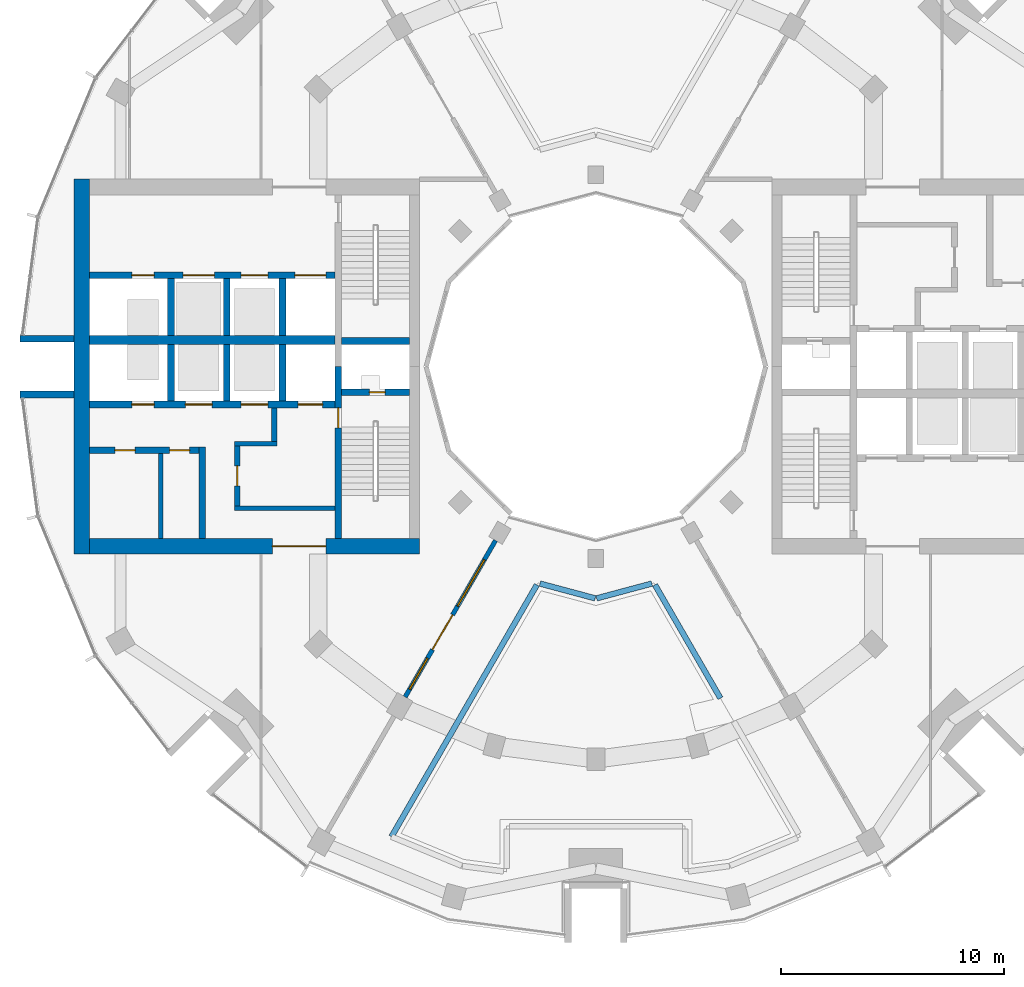
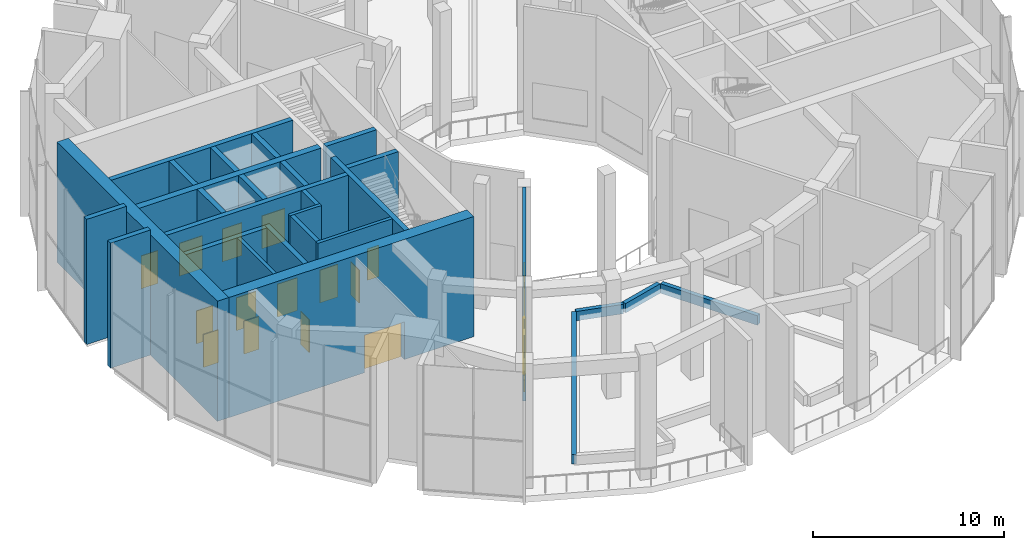
# One storey, part 11 of 18: 28 walls, 15 doors, 2 windows, 17 openings.
"""IFC4 building model written with IfcOpenShell, lengths in metres."""

from ifc_helpers import new_model, si_unit, direction, frame, frame_2d, origin, place, context, subcontext, project, spatial, rectangle, extrude, material, layer, layer_set, type_object, element, fill, save


model = new_model("IFC4")

# Units and contexts
model_context = context("Model", 3, precision=1e-05, world=origin(), true_north=direction((0.0, 1.0)))
body_context = subcontext(model_context, "Body", "Model", "MODEL_VIEW")
ifc_project = project(units=[si_unit("LENGTHUNIT", "METRE"), si_unit("AREAUNIT", "SQUARE_METRE"), si_unit("VOLUMEUNIT", "CUBIC_METRE"), si_unit("PLANEANGLEUNIT", "RADIAN"), si_unit("MASSUNIT", "GRAM", prefix="KILO")], contexts=[model_context])

# Site, building, storey
site_placement = place(None, origin())
site = spatial("IfcSite", under=ifc_project, at=site_placement, CompositionType="ELEMENT")
building_placement = place(site_placement, origin())
building = spatial("IfcBuilding", under=site, at=building_placement, Name="Torre Brocal", CompositionType="ELEMENT")
storey_placement = place(building_placement, frame((0.0, 0.0, 149.699951171875)))
storey = spatial("IfcBuildingStorey", under=building, at=storey_placement, Name="L35", CompositionType="ELEMENT", Elevation=149.699951171875)

# Walls
ifc_material_1 = material(Name="Masonry block", Category="masonry")
ifc_layer_1 = layer(ifc_material_1, 0.199951171875)
ifc_layer_set_1 = layer_set([ifc_layer_1], Name="Masonry block")
wall_type_1 = type_object("IfcWallType", Name="CORE PARTITION 200", PredefinedType="PARTITIONING", material=ifc_layer_set_1)
wall_1_placement = place(storey_placement, frame((60.485107421875, 71.10009765625, 0.0), z_axis=(0.0, 0.0, 1.0), x_axis=(0.0, -1.0, 0.0)))
element("IfcWall", 1, at=wall_1_placement, inside=storey, type_object=wall_type_1, Name="Wall CP200", PredefinedType="PARTITIONING", context=body_context, shape_type="SweptSolid", body=[
    extrude(rectangle(XDim=3.800048828125, YDim=0.199951171875, at=frame_2d((1.89990234375, 0.0))), origin(), (0.0, 0.0, 1.0), 7.679931640625),
])
ifc_material_2 = material(Name="Concrete C70", Category="concrete")
ifc_layer_2 = layer(ifc_material_2, 0.199951171875)
ifc_layer_set_2 = layer_set([ifc_layer_2], Name="Concrete C70")
wall_type_2 = type_object("IfcWallType", Name="CORE WALL 200 C70", PredefinedType="SHEAR", material=ifc_layer_set_2)
wall_2_placement = place(storey_placement, frame((68.300048828125, 68.64990234375, 0.0), z_axis=(0.0, 0.0, 1.0), x_axis=(-1.0, 0.0, 0.0)))
element("IfcWall", 2, at=wall_2_placement, inside=storey, type_object=wall_type_2, Name="Wall CW200-70", PredefinedType="SHEAR", context=body_context, shape_type="SweptSolid", body=[
    extrude(rectangle(XDim=4.5, YDim=0.199951171875, at=frame_2d((2.25, 0.0))), origin(), (0.0, 0.0, 1.0), 7.679931640625),
])
wall_3_placement = place(storey_placement, frame((65.699951171875, 71.550048828125, 0.0), z_axis=(0.0, 0.0, 1.0), x_axis=(-1.0, 0.0, 0.0)))
element("IfcWall", 3, at=wall_3_placement, inside=storey, type_object=wall_type_2, Name="Wall CW200-70", PredefinedType="SHEAR", context=body_context, shape_type="SweptSolid", body=[
    extrude(rectangle(XDim=1.89990234375, YDim=0.199951171875, at=frame_2d((0.949951171875, 0.0))), origin(), (0.0, 0.0, 1.0), 7.679931640625),
])

# Wall, opening, door
ifc_material_3 = material(Name="Concrete C70", Category="concrete")
ifc_layer_3 = layer(ifc_material_3, 0.25)
ifc_layer_set_3 = layer_set([ifc_layer_3], Name="Concrete C70")
wall_type_3 = type_object("IfcWallType", Name="CORE WALL 250 C70", PredefinedType="SHEAR", material=ifc_layer_set_3)
wall_4_placement = place(storey_placement, frame((63.925048828125, 71.449951171875, 0.0), z_axis=(0.0, 0.0, 1.0), x_axis=(0.0, -1.0, 0.0)))
wall_4 = element("IfcWall", 4, at=wall_4_placement, inside=storey, type_object=wall_type_3, Name="Wall CW250-70", PredefinedType="SHEAR", context=body_context, shape_type="SweptSolid", body=[
    extrude(rectangle(XDim=2.699951171875, YDim=0.25, at=frame_2d((1.35009765625, 0.0))), origin(), (0.0, 0.0, 1.0), 7.679931640625),
])
opening_1_placement = place(wall_4_placement, frame((0.89990234375, 0.0, 0.0)))
opening_1 = element("IfcOpeningElement", 5, at=opening_1_placement, cuts=wall_4, Name="Opening W-D15", PredefinedType="OPENING", context=body_context, shape_type="SweptSolid", body=[
    extrude(rectangle(XDim=0.89990234375, YDim=2.10009765625, at=frame_2d((0.449951171875, 1.050048828125))), frame((0.0, 0.135009765625, 0.0), z_axis=(0.0, -1.0, 0.0), x_axis=(1.0, 0.0, 0.0)), (0.0, 0.0, 1.0), 0.27001953125),
])
ifc_material_4 = material(Name="Steel A653", Category="steel")
door_type_1 = type_object("IfcDoorType", Name="LOBBY DOOR FD120 900X2100", OperationType="SINGLE_SWING_RIGHT", PredefinedType="DOOR", material=ifc_material_4)
door_1_placement = place(opening_1_placement, origin())
door_1 = element("IfcDoor", 6, at=door_1_placement, inside=storey, type_object=door_type_1, Name="Door W-D15", OperationType="SINGLE_SWING_LEFT", OverallHeight=2.10009765625, OverallWidth=0.89990234375, PredefinedType="DOOR", context=body_context, shape_type="SweptSolid", body=[
    extrude(rectangle(XDim=0.89990234375, YDim=2.10009765625, at=frame_2d((0.449951171875, 1.050048828125))), frame((0.0, 0.02490234375, 0.0), z_axis=(0.0, -1.0, 0.0), x_axis=(1.0, 0.0, 0.0)), (0.0, 0.0, 1.0), 0.050048828125),
])
fill(opening_1, door_1)

# Wall
wall_5_placement = place(storey_placement, frame((65.574951171875, 73.14990234375, 0.0), z_axis=(0.0, 0.0, 1.0), x_axis=(0.0, -1.0, 0.0)))
element("IfcWall", 7, at=wall_5_placement, inside=storey, type_object=wall_type_3, Name="Wall CW250-70", PredefinedType="SHEAR", context=body_context, shape_type="SweptSolid", body=[
    extrude(rectangle(XDim=1.5, YDim=0.25, at=frame_2d((0.75, 0.0))), origin(), (0.0, 0.0, 1.0), 7.679931640625),
])

# Wall, opening, door
ifc_material_5 = material(Name="Concrete C70", Category="concrete")
ifc_layer_4 = layer(ifc_material_5, 0.300048828125)
ifc_layer_set_4 = layer_set([ifc_layer_4], Name="Concrete C70")
wall_type_4 = type_object("IfcWallType", Name="CORE WALL 300 C70", PredefinedType="SHEAR", material=ifc_layer_set_4)
wall_6_placement = place(storey_placement, frame((68.449951171875, 75.0, 0.0), z_axis=(0.0, 0.0, 1.0), x_axis=(0.0, -1.0, 0.0)))
wall_6 = element("IfcWall", 8, at=wall_6_placement, inside=storey, type_object=wall_type_4, Name="Wall CW300-70", PredefinedType="SHEAR", context=body_context, shape_type="SweptSolid", body=[
    extrude(rectangle(XDim=7.699951171875, YDim=0.300048828125, at=frame_2d((3.85009765625, 0.0))), origin(), (0.0, 0.0, 1.0), 7.679931640625),
])
opening_2_placement = place(wall_6_placement, frame((1.85009765625, 0.0, 0.0)))
opening_2 = element("IfcOpeningElement", 9, at=opening_2_placement, cuts=wall_6, Name="Opening W-D02", PredefinedType="OPENING", context=body_context, shape_type="SweptSolid", body=[
    extrude(rectangle(XDim=0.89990234375, YDim=2.10009765625, at=frame_2d((0.449951171875, 1.050048828125))), frame((0.0, 0.159912109375, 0.0), z_axis=(0.0, -1.0, 0.0), x_axis=(1.0, 0.0, 0.0)), (0.0, 0.0, 1.0), 0.320068359375),
])
ifc_material_6 = material(Name="Steel A653", Category="steel")
door_type_2 = type_object("IfcDoorType", Name="STAIR DOOR FD120 900X2100", OperationType="SINGLE_SWING_RIGHT", PredefinedType="DOOR", material=ifc_material_6)
door_2_placement = place(opening_2_placement, origin())
door_2 = element("IfcDoor", 10, at=door_2_placement, inside=storey, type_object=door_type_2, Name="Door W-D02", OperationType="SINGLE_SWING_LEFT", OverallHeight=2.10009765625, OverallWidth=0.89990234375, PredefinedType="DOOR", context=body_context, shape_type="SweptSolid", body=[
    extrude(rectangle(XDim=0.89990234375, YDim=2.10009765625, at=frame_2d((0.449951171875, 1.050048828125))), frame((0.0, 0.02490234375, 0.0), z_axis=(0.0, -1.0, 0.0), x_axis=(1.0, 0.0, 0.0)), (0.0, 0.0, 1.0), 0.050048828125),
])
fill(opening_2, door_2)

wall_7_placement = place(storey_placement, frame((71.64990234375, 73.85009765625, 0.0), z_axis=(0.0, 0.0, 1.0), x_axis=(-1.0, 0.0, 0.0)))
wall_7 = element("IfcWall", 11, at=wall_7_placement, inside=storey, type_object=wall_type_4, Name="Wall CW300-70", PredefinedType="SHEAR", context=body_context, shape_type="SweptSolid", body=[
    extrude(rectangle(XDim=3.0498046875, YDim=0.300048828125, at=frame_2d((1.52490234375, 0.0))), origin(), (0.0, 0.0, 1.0), 7.679931640625),
])
opening_3_placement = place(wall_7_placement, frame((1.10009765625, 0.0, 0.0)))
opening_3 = element("IfcOpeningElement", 12, at=opening_3_placement, cuts=wall_7, Name="Opening W-D01", PredefinedType="OPENING", context=body_context, shape_type="SweptSolid", body=[
    extrude(rectangle(XDim=0.699951171875, YDim=2.0, at=frame_2d((0.35009765625, 1.0))), frame((0.0, 0.159912109375, 0.0), z_axis=(0.0, -1.0, 0.0), x_axis=(1.0, 0.0, 0.0)), (0.0, 0.0, 1.0), 0.320068359375),
])
ifc_material_7 = material(Name="Steel A653", Category="steel")
door_type_3 = type_object("IfcDoorType", Name="RISER DOOR FD120 700X2000", OperationType="SINGLE_SWING_LEFT", PredefinedType="DOOR", material=ifc_material_7)
door_3_placement = place(opening_3_placement, frame((0.699951171875, 0.0, 0.0), z_axis=(0.0, 0.0, 1.0), x_axis=(-1.0, 0.0, 0.0)))
door_3 = element("IfcDoor", 13, at=door_3_placement, inside=storey, type_object=door_type_3, Name="Door W-D01", OperationType="SINGLE_SWING_RIGHT", OverallHeight=2.0, OverallWidth=0.699951171875, PredefinedType="DOOR", context=body_context, shape_type="SweptSolid", body=[
    extrude(rectangle(XDim=0.699951171875, YDim=2.0, at=frame_2d((0.35009765625, 1.0))), frame((0.0, 0.02490234375, 0.0), z_axis=(0.0, -1.0, 0.0), x_axis=(1.0, 0.0, 0.0)), (0.0, 0.0, 1.0), 0.050048828125),
])
fill(opening_3, door_3)

# Wall
wall_8_placement = place(storey_placement, frame((71.64990234375, 76.14990234375, 0.0), z_axis=(0.0, 0.0, 1.0), x_axis=(-1.0, 0.0, 0.0)))
element("IfcWall", 14, at=wall_8_placement, inside=storey, type_object=wall_type_4, Name="Wall CW300-70", PredefinedType="SHEAR", context=body_context, shape_type="SweptSolid", body=[
    extrude(rectangle(XDim=3.0498046875, YDim=0.300048828125, at=frame_2d((1.52490234375, 0.0))), origin(), (0.0, 0.0, 1.0), 7.679931640625),
])

# Wall, openings, doors
wall_9_placement = place(storey_placement, frame((68.300048828125, 73.300048828125, 0.0), z_axis=(0.0, 0.0, 1.0), x_axis=(-1.0, 0.0, 0.0)))
wall_9 = element("IfcWall", 15, at=wall_9_placement, inside=storey, type_object=wall_type_4, Name="Wall CW300-70", PredefinedType="SHEAR", context=body_context, shape_type="SweptSolid", body=[
    extrude(rectangle(XDim=11.0, YDim=0.300048828125, at=frame_2d((5.5, 0.0))), origin(), (0.0, 0.0, 1.0), 7.679931640625),
])
opening_4_placement = place(wall_9_placement, frame((0.550048828125, 0.0, 0.0)))
opening_4 = element("IfcOpeningElement", 16, at=opening_4_placement, cuts=wall_9, Name="Opening LD", PredefinedType="OPENING", context=body_context, shape_type="SweptSolid", body=[
    extrude(rectangle(XDim=1.10009765625, YDim=2.10009765625, at=frame_2d((0.550048828125, 1.050048828125))), frame((0.0, 0.159912109375, 0.0), z_axis=(0.0, -1.0, 0.0), x_axis=(1.0, 0.0, 0.0)), (0.0, 0.0, 1.0), 0.320068359375),
])
opening_5_placement = place(wall_9_placement, frame((3.0, 0.0, 0.0)))
opening_5 = element("IfcOpeningElement", 17, at=opening_5_placement, cuts=wall_9, Name="Opening LD12", PredefinedType="OPENING", context=body_context, shape_type="SweptSolid", body=[
    extrude(rectangle(XDim=1.199951171875, YDim=2.10009765625, at=frame_2d((0.60009765625, 1.050048828125))), frame((0.0, 0.159912109375, 0.0), z_axis=(0.0, -1.0, 0.0), x_axis=(1.0, 0.0, 0.0)), (0.0, 0.0, 1.0), 0.320068359375),
])
opening_6_placement = place(wall_9_placement, frame((5.5, 0.0, 0.0)))
opening_6 = element("IfcOpeningElement", 18, at=opening_6_placement, cuts=wall_9, Name="Opening LD12", PredefinedType="OPENING", context=body_context, shape_type="SweptSolid", body=[
    extrude(rectangle(XDim=1.199951171875, YDim=2.10009765625, at=frame_2d((0.60009765625, 1.050048828125))), frame((0.0, 0.159912109375, 0.0), z_axis=(0.0, -1.0, 0.0), x_axis=(1.0, 0.0, 0.0)), (0.0, 0.0, 1.0), 0.320068359375),
])
opening_7_placement = place(wall_9_placement, frame((8.10009765625, 0.0, 0.0)))
opening_7 = element("IfcOpeningElement", 19, at=opening_7_placement, cuts=wall_9, Name="Opening LD10", PredefinedType="OPENING", context=body_context, shape_type="SweptSolid", body=[
    extrude(rectangle(XDim=1.0, YDim=2.10009765625, at=frame_2d((0.5, 1.050048828125))), frame((0.0, 0.159912109375, 0.0), z_axis=(0.0, -1.0, 0.0), x_axis=(1.0, 0.0, 0.0)), (0.0, 0.0, 1.0), 0.320068359375),
])
ifc_material_8 = material(Name="Stainless steel AISI 316", Category="steel")
door_type_4 = type_object("IfcDoorType", Name="LIFT LANDING DOOR 1000X2100", OperationType="DOUBLE_DOOR_SLIDING", PredefinedType="DOOR", material=ifc_material_8)
door_4_placement = place(opening_7_placement, origin())
door_4 = element("IfcDoor", 20, at=door_4_placement, inside=storey, type_object=door_type_4, Name="Door LD10", OperationType="DOUBLE_DOOR_SLIDING", OverallHeight=2.10009765625, OverallWidth=1.0, PredefinedType="DOOR", context=body_context, shape_type="SweptSolid", body=[
    extrude(rectangle(XDim=1.0, YDim=2.10009765625, at=frame_2d((0.5, 1.050048828125))), frame((0.0, 0.02490234375, 0.0), z_axis=(0.0, -1.0, 0.0), x_axis=(1.0, 0.0, 0.0)), (0.0, 0.0, 1.0), 0.050048828125),
])
fill(opening_7, door_4)
ifc_material_9 = material(Name="Stainless steel AISI 316", Category="steel")
door_type_5 = type_object("IfcDoorType", Name="LIFT LANDING DOOR 1100X2100", OperationType="DOUBLE_DOOR_SLIDING", PredefinedType="DOOR", material=ifc_material_9)
door_5_placement = place(opening_4_placement, origin())
door_5 = element("IfcDoor", 21, at=door_5_placement, inside=storey, type_object=door_type_5, Name="Door LD", OperationType="DOUBLE_DOOR_SLIDING", OverallHeight=2.10009765625, OverallWidth=1.10009765625, PredefinedType="DOOR", context=body_context, shape_type="SweptSolid", body=[
    extrude(rectangle(XDim=1.10009765625, YDim=2.10009765625, at=frame_2d((0.550048828125, 1.050048828125))), frame((0.0, 0.02490234375, 0.0), z_axis=(0.0, -1.0, 0.0), x_axis=(1.0, 0.0, 0.0)), (0.0, 0.0, 1.0), 0.050048828125),
])
fill(opening_4, door_5)
ifc_material_10 = material(Name="Stainless steel AISI 316", Category="steel")
door_type_6 = type_object("IfcDoorType", Name="LIFT LANDING DOOR 1200X2100", OperationType="DOUBLE_DOOR_SLIDING", PredefinedType="DOOR", material=ifc_material_10)
door_6_placement = place(opening_5_placement, origin())
door_6 = element("IfcDoor", 22, at=door_6_placement, inside=storey, type_object=door_type_6, Name="Door LD12", OperationType="DOUBLE_DOOR_SLIDING", OverallHeight=2.10009765625, OverallWidth=1.199951171875, PredefinedType="DOOR", context=body_context, shape_type="SweptSolid", body=[
    extrude(rectangle(XDim=1.199951171875, YDim=2.10009765625, at=frame_2d((0.60009765625, 1.050048828125))), frame((0.0, 0.02490234375, 0.0), z_axis=(0.0, -1.0, 0.0), x_axis=(1.0, 0.0, 0.0)), (0.0, 0.0, 1.0), 0.050048828125),
])
fill(opening_5, door_6)
door_7_placement = place(opening_6_placement, origin())
door_7 = element("IfcDoor", 23, at=door_7_placement, inside=storey, type_object=door_type_6, Name="Door LD12", OperationType="DOUBLE_DOOR_SLIDING", OverallHeight=2.10009765625, OverallWidth=1.199951171875, PredefinedType="DOOR", context=body_context, shape_type="SweptSolid", body=[
    extrude(rectangle(XDim=1.199951171875, YDim=2.10009765625, at=frame_2d((0.60009765625, 1.050048828125))), frame((0.0, 0.02490234375, 0.0), z_axis=(0.0, -1.0, 0.0), x_axis=(1.0, 0.0, 0.0)), (0.0, 0.0, 1.0), 0.050048828125),
])
fill(opening_6, door_7)

wall_10_placement = place(storey_placement, frame((68.300048828125, 79.10009765625, 0.0), z_axis=(0.0, 0.0, 1.0), x_axis=(-1.0, 0.0, 0.0)))
wall_10 = element("IfcWall", 24, at=wall_10_placement, inside=storey, type_object=wall_type_4, Name="Wall CW300-70", PredefinedType="SHEAR", context=body_context, shape_type="SweptSolid", body=[
    extrude(rectangle(XDim=11.0, YDim=0.300048828125, at=frame_2d((5.5, 0.0))), origin(), (0.0, 0.0, 1.0), 7.679931640625),
])
opening_8_placement = place(wall_10_placement, frame((0.39990234375, 0.0, 0.0)))
opening_8 = element("IfcOpeningElement", 25, at=opening_8_placement, cuts=wall_10, Name="Opening LD14", PredefinedType="OPENING", context=body_context, shape_type="SweptSolid", body=[
    extrude(rectangle(XDim=1.39990234375, YDim=2.10009765625, at=frame_2d((0.699951171875, 1.050048828125))), frame((0.0, 0.159912109375, 0.0), z_axis=(0.0, -1.0, 0.0), x_axis=(1.0, 0.0, 0.0)), (0.0, 0.0, 1.0), 0.320068359375),
])
opening_9_placement = place(wall_10_placement, frame((3.0, 0.0, 0.0)))
opening_9 = element("IfcOpeningElement", 26, at=opening_9_placement, cuts=wall_10, Name="Opening LD12", PredefinedType="OPENING", context=body_context, shape_type="SweptSolid", body=[
    extrude(rectangle(XDim=1.199951171875, YDim=2.10009765625, at=frame_2d((0.60009765625, 1.050048828125))), frame((0.0, 0.159912109375, 0.0), z_axis=(0.0, -1.0, 0.0), x_axis=(1.0, 0.0, 0.0)), (0.0, 0.0, 1.0), 0.320068359375),
])
opening_10_placement = place(wall_10_placement, frame((5.39990234375, 0.0, 0.0)))
opening_10 = element("IfcOpeningElement", 27, at=opening_10_placement, cuts=wall_10, Name="Opening LD14", PredefinedType="OPENING", context=body_context, shape_type="SweptSolid", body=[
    extrude(rectangle(XDim=1.39990234375, YDim=2.10009765625, at=frame_2d((0.699951171875, 1.050048828125))), frame((0.0, 0.159912109375, 0.0), z_axis=(0.0, -1.0, 0.0), x_axis=(1.0, 0.0, 0.0)), (0.0, 0.0, 1.0), 0.320068359375),
])
opening_11_placement = place(wall_10_placement, frame((8.10009765625, 0.0, 0.0)))
opening_11 = element("IfcOpeningElement", 28, at=opening_11_placement, cuts=wall_10, Name="Opening LD10", PredefinedType="OPENING", context=body_context, shape_type="SweptSolid", body=[
    extrude(rectangle(XDim=1.0, YDim=2.10009765625, at=frame_2d((0.5, 1.050048828125))), frame((0.0, 0.159912109375, 0.0), z_axis=(0.0, -1.0, 0.0), x_axis=(1.0, 0.0, 0.0)), (0.0, 0.0, 1.0), 0.320068359375),
])
door_8_placement = place(opening_11_placement, origin())
door_8 = element("IfcDoor", 29, at=door_8_placement, inside=storey, type_object=door_type_4, Name="Door LD10", OperationType="DOUBLE_DOOR_SLIDING", OverallHeight=2.10009765625, OverallWidth=1.0, PredefinedType="DOOR", context=body_context, shape_type="SweptSolid", body=[
    extrude(rectangle(XDim=1.0, YDim=2.10009765625, at=frame_2d((0.5, 1.050048828125))), frame((0.0, 0.02490234375, 0.0), z_axis=(0.0, -1.0, 0.0), x_axis=(1.0, 0.0, 0.0)), (0.0, 0.0, 1.0), 0.050048828125),
])
fill(opening_11, door_8)
door_9_placement = place(opening_9_placement, origin())
door_9 = element("IfcDoor", 30, at=door_9_placement, inside=storey, type_object=door_type_6, Name="Door LD12", OperationType="DOUBLE_DOOR_SLIDING", OverallHeight=2.10009765625, OverallWidth=1.199951171875, PredefinedType="DOOR", context=body_context, shape_type="SweptSolid", body=[
    extrude(rectangle(XDim=1.199951171875, YDim=2.10009765625, at=frame_2d((0.60009765625, 1.050048828125))), frame((0.0, 0.02490234375, 0.0), z_axis=(0.0, -1.0, 0.0), x_axis=(1.0, 0.0, 0.0)), (0.0, 0.0, 1.0), 0.050048828125),
])
fill(opening_9, door_9)
ifc_material_11 = material(Name="Stainless steel AISI 316", Category="steel")
door_type_7 = type_object("IfcDoorType", Name="LIFT LANDING DOOR 1400X2100", OperationType="DOUBLE_DOOR_SLIDING", PredefinedType="DOOR", material=ifc_material_11)
door_10_placement = place(opening_8_placement, origin())
door_10 = element("IfcDoor", 31, at=door_10_placement, inside=storey, type_object=door_type_7, Name="Door LD14", OperationType="DOUBLE_DOOR_SLIDING", OverallHeight=2.10009765625, OverallWidth=1.39990234375, PredefinedType="DOOR", context=body_context, shape_type="SweptSolid", body=[
    extrude(rectangle(XDim=1.39990234375, YDim=2.10009765625, at=frame_2d((0.699951171875, 1.050048828125))), frame((0.0, 0.02490234375, 0.0), z_axis=(0.0, -1.0, 0.0), x_axis=(1.0, 0.0, 0.0)), (0.0, 0.0, 1.0), 0.050048828125),
])
fill(opening_8, door_10)
door_11_placement = place(opening_10_placement, origin())
door_11 = element("IfcDoor", 32, at=door_11_placement, inside=storey, type_object=door_type_7, Name="Door LD14", OperationType="DOUBLE_DOOR_SLIDING", OverallHeight=2.10009765625, OverallWidth=1.39990234375, PredefinedType="DOOR", context=body_context, shape_type="SweptSolid", body=[
    extrude(rectangle(XDim=1.39990234375, YDim=2.10009765625, at=frame_2d((0.699951171875, 1.050048828125))), frame((0.0, 0.02490234375, 0.0), z_axis=(0.0, -1.0, 0.0), x_axis=(1.0, 0.0, 0.0)), (0.0, 0.0, 1.0), 0.050048828125),
])
fill(opening_10, door_11)

# Walls
for number, where, z_axis, x_axis, name in (
    (33, (65.949951171875, 76.0, 0.0), (0.0, 0.0, 1.0), (0.0, -1.0, 0.0), "Wall CW300-70"),
    (34, (63.449951171875, 76.0, 0.0), (0.0, 0.0, 1.0), (0.0, -1.0, 0.0), "Wall CW300-70"),
    (35, (60.949951171875, 76.0, 0.0), (0.0, 0.0, 1.0), (0.0, -1.0, 0.0), "Wall CW300-70"),
    (36, (65.949951171875, 78.949951171875, 0.0), (0.0, 0.0, 1.0), (0.0, -1.0, 0.0), "Wall CW300-70"),
    (37, (63.449951171875, 78.949951171875, 0.0), (0.0, 0.0, 1.0), (0.0, -1.0, 0.0), "Wall CW300-70"),
    (38, (60.949951171875, 78.949951171875, 0.0), (0.0, 0.0, 1.0), (0.0, -1.0, 0.0), "Wall CW300-70"),
):
    element("IfcWall", number, at=place(storey_placement, frame(where, z_axis=z_axis, x_axis=x_axis)), inside=storey, type_object=wall_type_4, Name=name, PredefinedType="SHEAR", context=body_context, shape_type="SweptSolid", body=[
        extrude(rectangle(XDim=2.550048828125, YDim=0.300048828125, at=frame_2d((1.27490234375, 0.0))), origin(), (0.0, 0.0, 1.0), 7.679931640625),
    ])
wall_11_placement = place(storey_placement, frame((62.35009765625, 71.39990234375, 0.0), z_axis=(0.0, 0.0, 1.0), x_axis=(0.0, -1.0, 0.0)))
element("IfcWall", 39, at=wall_11_placement, inside=storey, type_object=wall_type_4, Name="Wall CW300-70", PredefinedType="SHEAR", context=body_context, shape_type="SweptSolid", body=[
    extrude(rectangle(XDim=4.099853515625, YDim=0.300048828125, at=frame_2d((2.0498046875, 0.0))), origin(), (0.0, 0.0, 1.0), 7.679931640625),
])

# Wall, openings, doors
wall_12_placement = place(storey_placement, frame((62.199951171875, 71.25, 0.0), z_axis=(0.0, 0.0, 1.0), x_axis=(-1.0, 0.0, 0.0)))
wall_12 = element("IfcWall", 40, at=wall_12_placement, inside=storey, type_object=wall_type_4, Name="Wall CW300-70", PredefinedType="SHEAR", context=body_context, shape_type="SweptSolid", body=[
    extrude(rectangle(XDim=4.89990234375, YDim=0.300048828125, at=frame_2d((2.449951171875, 0.0))), origin(), (0.0, 0.0, 1.0), 7.679931640625),
])
opening_12_placement = place(wall_12_placement, frame((0.407470703125, 0.0, 0.0)))
opening_12 = element("IfcOpeningElement", 41, at=opening_12_placement, cuts=wall_12, Name="Opening W-D05", PredefinedType="OPENING", context=body_context, shape_type="SweptSolid", body=[
    extrude(rectangle(XDim=0.89990234375, YDim=2.10009765625, at=frame_2d((0.449951171875, 1.050048828125))), frame((0.0, 0.159912109375, 0.0), z_axis=(0.0, -1.0, 0.0), x_axis=(1.0, 0.0, 0.0)), (0.0, 0.0, 1.0), 0.320068359375),
])
opening_13_placement = place(wall_12_placement, frame((2.857421875, 0.0, 0.0)))
opening_13 = element("IfcOpeningElement", 42, at=opening_13_placement, cuts=wall_12, Name="Opening W-D06", PredefinedType="OPENING", context=body_context, shape_type="SweptSolid", body=[
    extrude(rectangle(XDim=0.89990234375, YDim=2.10009765625, at=frame_2d((0.449951171875, 1.050048828125))), frame((0.0, 0.159912109375, 0.0), z_axis=(0.0, -1.0, 0.0), x_axis=(1.0, 0.0, 0.0)), (0.0, 0.0, 1.0), 0.320068359375),
])
ifc_material_12 = material(Name="Steel A653", Category="steel")
door_type_8 = type_object("IfcDoorType", Name="ROOM DOOR FD30S 900X2100", OperationType="SINGLE_SWING_LEFT", PredefinedType="DOOR", material=ifc_material_12)
door_12_placement = place(opening_12_placement, origin())
door_12 = element("IfcDoor", 43, at=door_12_placement, inside=storey, type_object=door_type_8, Name="Door W-D05", OperationType="SINGLE_SWING_RIGHT", OverallHeight=2.10009765625, OverallWidth=0.89990234375, PredefinedType="DOOR", context=body_context, shape_type="SweptSolid", body=[
    extrude(rectangle(XDim=0.89990234375, YDim=2.10009765625, at=frame_2d((0.449951171875, 1.050048828125))), frame((0.0, 0.02490234375, 0.0), z_axis=(0.0, -1.0, 0.0), x_axis=(1.0, 0.0, 0.0)), (0.0, 0.0, 1.0), 0.050048828125),
])
fill(opening_12, door_12)
door_13_placement = place(opening_13_placement, origin())
door_13 = element("IfcDoor", 44, at=door_13_placement, inside=storey, type_object=door_type_8, Name="Door W-D06", OperationType="SINGLE_SWING_LEFT", OverallHeight=2.10009765625, OverallWidth=0.89990234375, PredefinedType="DOOR", context=body_context, shape_type="SweptSolid", body=[
    extrude(rectangle(XDim=0.89990234375, YDim=2.10009765625, at=frame_2d((0.449951171875, 1.050048828125))), frame((0.0, 0.02490234375, 0.0), z_axis=(0.0, -1.0, 0.0), x_axis=(1.0, 0.0, 0.0)), (0.0, 0.0, 1.0), 0.050048828125),
])
fill(opening_13, door_13)

# Wall
ifc_material_13 = material(Name="Concrete C70", Category="concrete")
ifc_layer_5 = layer(ifc_material_13, 0.39990234375)
ifc_layer_set_5 = layer_set([ifc_layer_5], Name="Concrete C70")
wall_type_5 = type_object("IfcWallType", Name="CORE WALL 400 C70", PredefinedType="SHEAR", material=ifc_layer_set_5)
wall_13_placement = place(storey_placement, frame((68.300048828125, 76.199951171875, 0.0), z_axis=(0.0, 0.0, 1.0), x_axis=(-1.0, 0.0, 0.0)))
element("IfcWall", 45, at=wall_13_placement, inside=storey, type_object=wall_type_5, Name="Wall CW400-70", PredefinedType="SHEAR", context=body_context, shape_type="SweptSolid", body=[
    extrude(rectangle(XDim=11.0, YDim=0.39990234375, at=frame_2d((5.5, 0.0))), origin(), (0.0, 0.0, 1.0), 7.679931640625),
])

# Wall, opening, door
ifc_material_14 = material(Name="Concrete C70", Category="concrete")
ifc_layer_6 = layer(ifc_material_14, 0.699951171875)
ifc_layer_set_6 = layer_set([ifc_layer_6], Name="Concrete C70")
wall_type_6 = type_object("IfcWallType", Name="CORE WALL 700 C70", PredefinedType="SHEAR", material=ifc_layer_set_6)
wall_14_placement = place(storey_placement, frame((72.10009765625, 66.949951171875, 0.0), z_axis=(0.0, 0.0, 1.0), x_axis=(-1.0, 0.0, 0.0)))
wall_14 = element("IfcWall", 46, at=wall_14_placement, inside=storey, type_object=wall_type_6, Name="Wall CW700-70", PredefinedType="SHEAR", context=body_context, shape_type="SweptSolid", body=[
    extrude(rectangle(XDim=14.800048828125, YDim=0.699951171875, at=frame_2d((7.39990234375, 0.0))), origin(), (0.0, 0.0, 1.0), 7.679931640625),
])
opening_14_placement = place(wall_14_placement, frame((4.199951171875, 0.0, 0.0)))
opening_14 = element("IfcOpeningElement", 47, at=opening_14_placement, cuts=wall_14, Name="Opening W-D24", PredefinedType="OPENING", context=body_context, shape_type="SweptSolid", body=[
    extrude(rectangle(XDim=2.39990234375, YDim=2.39990234375, at=frame_2d((1.199951171875, 1.199951171875))), frame((0.0, 0.35986328125, 0.0), z_axis=(0.0, -1.0, 0.0), x_axis=(1.0, 0.0, 0.0)), (0.0, 0.0, 1.0), 0.719970703125),
])
ifc_material_15 = material(Name="Steel A653", Category="steel")
door_type_9 = type_object("IfcDoorType", Name="DOUBLE FIRE DOOR FD90 2400X2400", OperationType="DOUBLE_DOOR_SINGLE_SWING", PredefinedType="DOOR", material=ifc_material_15)
door_14_placement = place(opening_14_placement, origin())
door_14 = element("IfcDoor", 48, at=door_14_placement, inside=storey, type_object=door_type_9, Name="Door W-D24", OperationType="DOUBLE_DOOR_SINGLE_SWING", OverallHeight=2.39990234375, OverallWidth=2.39990234375, PredefinedType="DOOR", context=body_context, shape_type="SweptSolid", body=[
    extrude(rectangle(XDim=2.39990234375, YDim=2.39990234375, at=frame_2d((1.199951171875, 1.199951171875))), frame((0.0, 0.02490234375, 0.0), z_axis=(0.0, -1.0, 0.0), x_axis=(1.0, 0.0, 0.0)), (0.0, 0.0, 1.0), 0.050048828125),
])
fill(opening_14, door_14)

# Walls
wall_15_placement = place(storey_placement, frame((56.949951171875, 83.39990234375, 0.0), z_axis=(0.0, 0.0, 1.0), x_axis=(0.0, -1.0, 0.0)))
element("IfcWall", 49, at=wall_15_placement, inside=storey, type_object=wall_type_6, Name="Wall CW700-70", PredefinedType="SHEAR", context=body_context, shape_type="SweptSolid", body=[
    extrude(rectangle(XDim=16.7998046875, YDim=0.699951171875, at=frame_2d((8.39990234375, 0.0))), origin(), (0.0, 0.0, 1.0), 7.679931640625),
])
ifc_material_16 = material(Name="Concrete C70", Category="concrete")
ifc_layer_7 = layer(ifc_material_16, 0.300048828125)
ifc_layer_set_7 = layer_set([ifc_layer_7], Name="Concrete C70")
wall_type_7 = type_object("IfcWallType", Name="NOTCH RETURN WALL 300 C70", PredefinedType="NOTDEFINED", material=ifc_layer_set_7)
for number, where, z_axis, x_axis, name in (
    (50, (56.60009765625, 76.25, 0.0), (0.0, 0.0, 1.0), (-1.0, 0.0, 0.0), "NOTCH RETURN WALL"),
    (51, (56.60009765625, 73.75, 0.0), (0.0, 0.0, 1.0), (-1.0, 0.0, 0.0), "NOTCH RETURN WALL"),
):
    element("IfcWall", number, at=place(storey_placement, frame(where, z_axis=z_axis, x_axis=x_axis)), inside=storey, type_object=wall_type_7, Name=name, PredefinedType="NOTDEFINED", context=body_context, shape_type="SweptSolid", body=[
        extrude(rectangle(XDim=2.415771484375, YDim=0.300048828125, at=frame_2d((1.2080078125, 0.0))), origin(), (0.0, 0.0, 1.0), 8.0),
    ])

# Wall, openings, door, windows
ifc_material_17 = material(Name="Concrete C40", Category="concrete")
ifc_layer_8 = layer(ifc_material_17, 0.199951171875)
ifc_layer_set_8 = layer_set([ifc_layer_8], Name="Concrete C40")
wall_type_8 = type_object("IfcWallType", Name="PAVILION BOUNDARY WALL 200", PredefinedType="NOTDEFINED", material=ifc_layer_set_8)
wall_16_placement = place(storey_placement, frame((75.5, 67.205810546875, 0.0), z_axis=(0.0, 0.0, 1.0), x_axis=(-0.499999880539, -0.866025472755, 0.0)))
wall_16 = element("IfcWall", 52, at=wall_16_placement, inside=storey, type_object=wall_type_8, Name="PAVILION BOUNDARY WALL", PredefinedType="NOTDEFINED", context=body_context, shape_type="SweptSolid", body=[
    extrude(rectangle(XDim=8.10009765625, YDim=0.199951171875, at=frame_2d((4.050048828125, 0.0))), origin(), (0.0, 0.0, 1.0), 8.0),
])
opening_15_placement = place(wall_16_placement, frame((1.0, 0.0, 0.300048828125)))
opening_15 = element("IfcOpeningElement", 53, at=opening_15_placement, cuts=wall_16, Name="Opening W4", PredefinedType="OPENING", context=body_context, shape_type="SweptSolid", body=[
    extrude(rectangle(XDim=2.39990234375, YDim=3.60009765625, at=frame_2d((1.199951171875, 1.800048828125))), frame((0.0, 0.10986328125, 0.0), z_axis=(0.0, -1.0, 0.0), x_axis=(1.0, 0.0, 0.0)), (0.0, 0.0, 1.0), 0.219970703125),
])
opening_16_placement = place(wall_16_placement, frame((3.85009765625, 0.0, 0.0)))
opening_16 = element("IfcOpeningElement", 54, at=opening_16_placement, cuts=wall_16, Name="Opening L35-E03", PredefinedType="OPENING", context=body_context, shape_type="SweptSolid", body=[
    extrude(rectangle(XDim=1.800048828125, YDim=2.39990234375, at=frame_2d((0.89990234375, 1.199951171875))), frame((0.0, 0.10986328125, 0.0), z_axis=(0.0, -1.0, 0.0), x_axis=(1.0, 0.0, 0.0)), (0.0, 0.0, 1.0), 0.219970703125),
])
opening_17_placement = place(wall_16_placement, frame((6.10009765625, 0.0, 0.300048828125)))
opening_17 = element("IfcOpeningElement", 55, at=opening_17_placement, cuts=wall_16, Name="Opening W4-1600", PredefinedType="OPENING", context=body_context, shape_type="SweptSolid", body=[
    extrude(rectangle(XDim=1.60009765625, YDim=3.60009765625, at=frame_2d((0.800048828125, 1.800048828125))), frame((0.0, 0.10986328125, 0.0), z_axis=(0.0, -1.0, 0.0), x_axis=(1.0, 0.0, 0.0)), (0.0, 0.0, 1.0), 0.219970703125),
])
ifc_material_18 = material(Name="Aluminium and glass", Category="aluminium")
door_type_10 = type_object("IfcDoorType", Name="PAVILION DOOR 1800X2400", OperationType="DOUBLE_DOOR_SINGLE_SWING", PredefinedType="DOOR", material=ifc_material_18)
door_15_placement = place(opening_16_placement, origin())
door_15 = element("IfcDoor", 56, at=door_15_placement, inside=storey, type_object=door_type_10, Name="DOOR L35-E03", OperationType="DOUBLE_DOOR_SINGLE_SWING", OverallHeight=2.39990234375, OverallWidth=1.800048828125, PredefinedType="DOOR", context=body_context, shape_type="SweptSolid", body=[
    extrude(rectangle(XDim=1.800048828125, YDim=2.39990234375, at=frame_2d((0.89990234375, 1.199951171875))), frame((0.0, 0.02490234375, 0.0), z_axis=(0.0, -1.0, 0.0), x_axis=(1.0, 0.0, 0.0)), (0.0, 0.0, 1.0), 0.050048828125),
])
fill(opening_16, door_15)
ifc_material_19 = material(Name="Aluminium and glass", Category="aluminium")
window_type_1 = type_object("IfcWindowType", Name="PAVILION WINDOW 1600X3600", PartitioningType="SINGLE_PANEL", PredefinedType="WINDOW", material=ifc_material_19)
window_1_placement = place(opening_17_placement, origin())
window_1 = element("IfcWindow", 57, at=window_1_placement, inside=storey, type_object=window_type_1, Name="PAVILION WINDOW 1600X3600", OverallHeight=3.60009765625, OverallWidth=1.60009765625, PartitioningType="SINGLE_PANEL", PredefinedType="WINDOW", context=body_context, shape_type="SweptSolid", body=[
    extrude(rectangle(XDim=1.60009765625, YDim=3.60009765625, at=frame_2d((0.800048828125, 1.800048828125))), frame((0.0, 0.030029296875, 0.0), z_axis=(0.0, -1.0, 0.0), x_axis=(1.0, 0.0, 0.0)), (0.0, 0.0, 1.0), 0.06005859375),
])
fill(opening_17, window_1)
ifc_material_20 = material(Name="Aluminium and glass", Category="aluminium")
window_type_2 = type_object("IfcWindowType", Name="PAVILION WINDOW 2400X3600", PartitioningType="SINGLE_PANEL", PredefinedType="WINDOW", material=ifc_material_20)
window_2_placement = place(opening_15_placement, origin())
window_2 = element("IfcWindow", 58, at=window_2_placement, inside=storey, type_object=window_type_2, Name="PAVILION WINDOW 2400X3600", OverallHeight=3.60009765625, OverallWidth=2.39990234375, PartitioningType="SINGLE_PANEL", PredefinedType="WINDOW", context=body_context, shape_type="SweptSolid", body=[
    extrude(rectangle(XDim=2.39990234375, YDim=3.60009765625, at=frame_2d((1.199951171875, 1.800048828125))), frame((0.0, 0.030029296875, 0.0), z_axis=(0.0, -1.0, 0.0), x_axis=(1.0, 0.0, 0.0)), (0.0, 0.0, 1.0), 0.06005859375),
])
fill(opening_15, window_2)

# Walls
ifc_material_21 = material(Name="Concrete C35", Category="concrete")
ifc_layer_9 = layer(ifc_material_21, 0.25)
ifc_layer_set_9 = layer_set([ifc_layer_9], Name="Concrete C35")
wall_type_9 = type_object("IfcWallType", Name="PLANTER WALL 250 THICK 600 HIGH 8", PredefinedType="USERDEFINED", material=ifc_layer_set_9)
wall_17_placement = place(storey_placement, frame((85.582275390625, 60.13134765625, 0.0), z_axis=(0.0, 0.0, 1.0), x_axis=(-0.499999689456, 0.866025583077, 0.0)))
element("IfcWall", 59, at=wall_17_placement, inside=storey, type_object=wall_type_9, Name="PLANTER", ObjectType="PLANTER", PredefinedType="USERDEFINED", context=body_context, shape_type="SweptSolid", body=[
    extrude(rectangle(XDim=5.86962890625, YDim=0.25, at=frame_2d((2.934814453125, 0.0))), origin(), (0.0, 0.0, 1.0), 0.60009765625),
])
for number, where, z_axis, x_axis, name in (
    (60, (82.5068359375, 65.27294921875, 0.0), (0.0, 0.0, 1.0), (-0.965917845578, -0.258848827685, 0.0), "PLANTER"),
    (61, (79.967529296875, 64.60986328125, 0.0), (0.0, 0.0, 1.0), (-0.965917845578, 0.258848827685, 0.0), "PLANTER"),
):
    element("IfcWall", number, at=place(storey_placement, frame(where, z_axis=z_axis, x_axis=x_axis)), inside=storey, type_object=wall_type_9, Name=name, ObjectType="PLANTER", PredefinedType="USERDEFINED", context=body_context, shape_type="SweptSolid", body=[
        extrude(rectangle(XDim=2.561767578125, YDim=0.25, at=frame_2d((1.28076171875, 0.0))), origin(), (0.0, 0.0, 1.0), 0.60009765625),
    ])
wall_18_placement = place(storey_placement, frame((77.3525390625, 65.214599609375, 0.0), z_axis=(0.0, 0.0, 1.0), x_axis=(-0.499990498062, -0.866030889661, 0.0)))
element("IfcWall", 62, at=wall_18_placement, inside=storey, type_object=wall_type_9, Name="PLANTER", ObjectType="PLANTER", PredefinedType="USERDEFINED", context=body_context, shape_type="SweptSolid", body=[
    extrude(rectangle(XDim=13.035400390625, YDim=0.25, at=frame_2d((6.517578125, 0.0))), origin(), (0.0, 0.0, 1.0), 0.60009765625),
])

save(model, "model.ifc")
